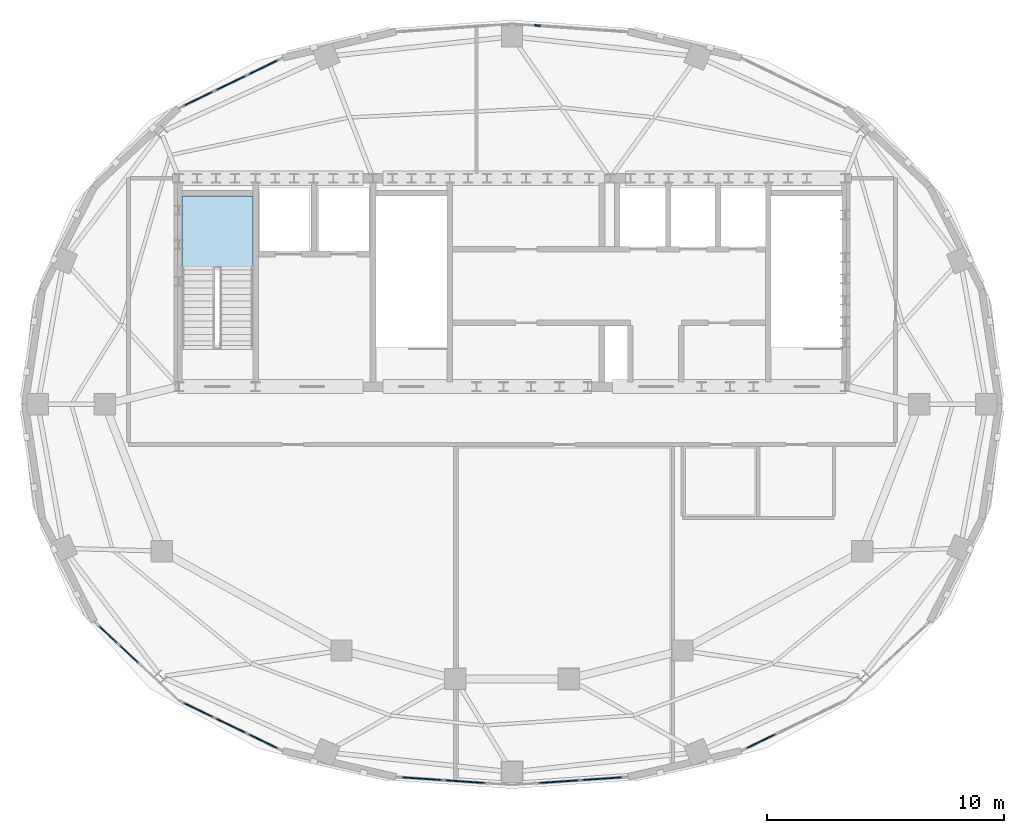
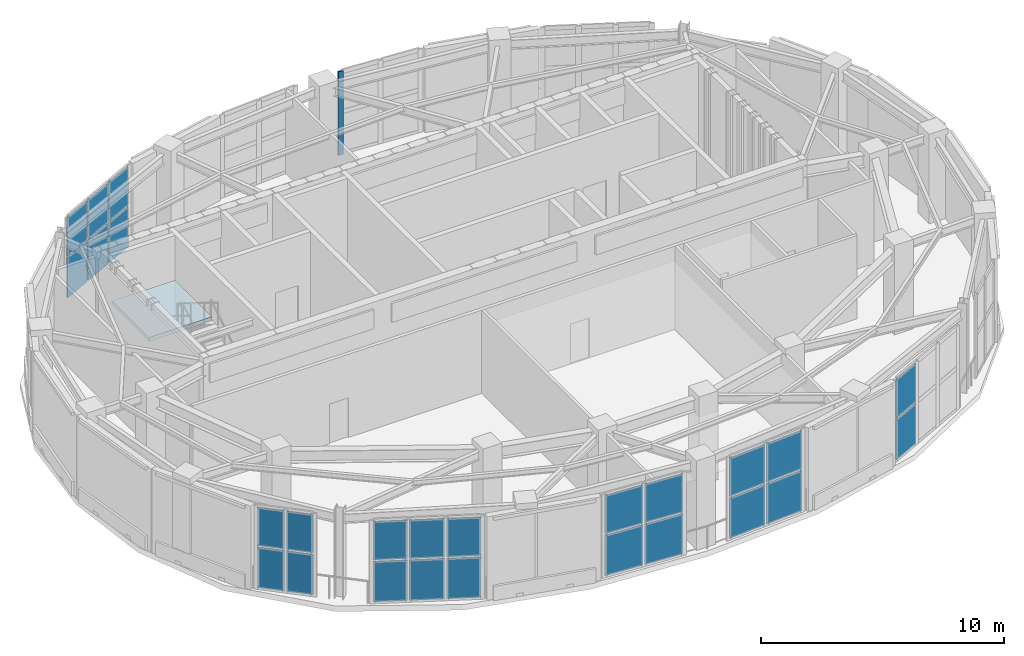
# One storey, part 5 of 10: 26 plates, 1 member, 1 slab, 8 elements without a shape of their own.
"""IFC4 building model written with IfcOpenShell, lengths in metres."""

from ifc_helpers import new_model, si_unit, direction, frame, origin, origin_2d, place, context, subcontext, project, spatial, polyline, rectangle, outline, extrude, material, layer, layer_set, material_profile, profile_set, type_object, element, aggregate, save


model = new_model("IFC4")

# Units and contexts
model_context = context("Model", 3, precision=1e-05, world=origin(), true_north=direction((0.0, 1.0)))
body_context = subcontext(model_context, "Body", "Model", "MODEL_VIEW")
ifc_project = project(units=[si_unit("LENGTHUNIT", "METRE"), si_unit("AREAUNIT", "SQUARE_METRE"), si_unit("VOLUMEUNIT", "CUBIC_METRE"), si_unit("PLANEANGLEUNIT", "RADIAN"), si_unit("MASSUNIT", "GRAM", prefix="KILO")], contexts=[model_context])

# Site, building, storey
site_placement = place(None, origin())
site = spatial("IfcSite", under=ifc_project, at=site_placement, CompositionType="ELEMENT")
building_placement = place(site_placement, origin())
building = spatial("IfcBuilding", under=site, at=building_placement, Name="Haldorwick Loom Tower", CompositionType="ELEMENT")
storey_placement = place(building_placement, frame((0.0, 0.0, 296.0)))
storey = spatial("IfcBuildingStorey", under=building, at=storey_placement, Name="L79", CompositionType="ELEMENT", Elevation=296.0)

# Curtain wall, member
ifc_material_1 = material(Name="Thermally Broken Anodized Aluminium Curtain Wall Framing", Category="aluminium")
curtain_wall_type = type_object("IfcCurtainWallType", Name="ARC-CW-06", PredefinedType="NOTDEFINED", material=ifc_material_1)
curtain_wall_1_placement = place(storey_placement, origin())
curtain_wall_1 = element("IfcCurtainWall", 1, at=curtain_wall_1_placement, inside=storey, type_object=curtain_wall_type, Name="L79 Facade Curtain Wall CW-06 Bay 6", PredefinedType="NOTDEFINED")
ifc_material_profile = material_profile(ifc_material_1, rectangle(XDim=0.077880859375, YDim=0.22998046875, at=origin_2d()), Name="ALU_MUL_78X230", Category="aluminium")
ifc_profile_set = profile_set([ifc_material_profile], Name="Thermally Broken Anodized Aluminium Curtain Wall Framing")
member_type = type_object("IfcMemberType", Name="ARC-CWM-06", PredefinedType="MULLION", material=ifc_profile_set)
member_placement = place(storey_placement, frame((37.073486328125, 42.001220703125, 0.0), z_axis=(0.0, 0.0, 1.0), x_axis=(-0.068469286639, -0.997653224716, 0.0)))
member = element("IfcMember", 2, at=member_placement, type_object=member_type, Name="CW-06 mullion 3", PredefinedType="MULLION", context=body_context, shape_type="SweptSolid", body=[
    extrude(rectangle(XDim=0.077880859375, YDim=0.22998046875, at=origin_2d()), origin(), (0.0, 0.0, 1.0), 4.199951171875),
])
aggregate(curtain_wall_1, [member])

# Curtain wall, plates
curtain_wall_2_placement = place(storey_placement, origin())
curtain_wall_2 = element("IfcCurtainWall", 3, at=curtain_wall_2_placement, inside=storey, type_object=curtain_wall_type, Name="L79 Facade Curtain Wall CW-06 Bay 9", PredefinedType="NOTDEFINED")
ifc_material_2 = material(Name="Triple-Glazed Low-E Argon Insulated Glazing Unit", Category="glass")
ifc_layer_1 = layer(ifc_material_2, 0.052001953125, Name="Triple-Glazed Low-E Argon Insulated Glazing Unit", Category="glass")
ifc_layer_set_1 = layer_set([ifc_layer_1], Name="Triple-Glazed Low-E Argon Insulated Glazing Unit")
plate_type = type_object("IfcPlateType", Name="ARC-CWP-06", PredefinedType="CURTAIN_PANEL", material=ifc_layer_set_1)
plate_1_placement = place(storey_placement, frame((25.48388671875, 40.2333984375, 0.078125), z_axis=(0.0, 0.0, 1.0), x_axis=(-0.900031962022, -0.435823894868, 0.0)))
plate_1 = element("IfcPlate", 4, at=plate_1_placement, type_object=plate_type, Name="CW-06 panel 1.1", PredefinedType="CURTAIN_PANEL", context=body_context, shape_type="SweptSolid", body=[
    extrude(rectangle(XDim=1.420166015625, YDim=0.052001953125, at=origin_2d()), origin(), (0.0, 0.0, 1.0), 2.032958984375),
])
plate_2_placement = place(storey_placement, frame((25.48388671875, 40.2333984375, 2.18896484375), z_axis=(0.0, 0.0, 1.0), x_axis=(-0.900031962022, -0.435823894868, 0.0)))
plate_2 = element("IfcPlate", 5, at=plate_2_placement, type_object=plate_type, Name="CW-06 panel 1.2", PredefinedType="CURTAIN_PANEL", context=body_context, shape_type="SweptSolid", body=[
    extrude(rectangle(XDim=1.420166015625, YDim=0.052001953125, at=origin_2d()), origin(), (0.0, 0.0, 1.0), 1.93310546875),
])
plate_3_placement = place(storey_placement, frame((24.117919921875, 39.572021484375, 0.078125), z_axis=(0.0, 0.0, 1.0), x_axis=(-0.900031962022, -0.435823894868, 0.0)))
plate_3 = element("IfcPlate", 6, at=plate_3_placement, type_object=plate_type, Name="CW-06 panel 2.1", PredefinedType="CURTAIN_PANEL", context=body_context, shape_type="SweptSolid", body=[
    extrude(rectangle(XDim=1.459228515625, YDim=0.052001953125, at=origin_2d()), origin(), (0.0, 0.0, 1.0), 2.032958984375),
])
plate_4_placement = place(storey_placement, frame((24.117919921875, 39.572021484375, 2.18896484375), z_axis=(0.0, 0.0, 1.0), x_axis=(-0.900031962022, -0.435823894868, 0.0)))
plate_4 = element("IfcPlate", 7, at=plate_4_placement, type_object=plate_type, Name="CW-06 panel 2.2", PredefinedType="CURTAIN_PANEL", context=body_context, shape_type="SweptSolid", body=[
    extrude(rectangle(XDim=1.459228515625, YDim=0.052001953125, at=origin_2d()), origin(), (0.0, 0.0, 1.0), 1.93310546875),
])
plate_5_placement = place(storey_placement, frame((22.751953125, 38.910400390625, 0.078125), z_axis=(0.0, 0.0, 1.0), x_axis=(-0.900031962022, -0.435823894868, 0.0)))
plate_5 = element("IfcPlate", 8, at=plate_5_placement, type_object=plate_type, Name="CW-06 panel 3.1", PredefinedType="CURTAIN_PANEL", context=body_context, shape_type="SweptSolid", body=[
    extrude(rectangle(XDim=1.420166015625, YDim=0.052001953125, at=origin_2d()), origin(), (0.0, 0.0, 1.0), 2.032958984375),
])
plate_6_placement = place(storey_placement, frame((22.751953125, 38.910400390625, 2.18896484375), z_axis=(0.0, 0.0, 1.0), x_axis=(-0.900031962022, -0.435823894868, 0.0)))
plate_6 = element("IfcPlate", 9, at=plate_6_placement, type_object=plate_type, Name="CW-06 panel 3.2", PredefinedType="CURTAIN_PANEL", context=body_context, shape_type="SweptSolid", body=[
    extrude(rectangle(XDim=1.420166015625, YDim=0.052001953125, at=origin_2d()), origin(), (0.0, 0.0, 1.0), 1.93310546875),
])
aggregate(curtain_wall_2, [plate_1, plate_2, plate_3, plate_4, plate_5, plate_6])

curtain_wall_3_placement = place(storey_placement, origin())
curtain_wall_3 = element("IfcCurtainWall", 10, at=curtain_wall_3_placement, inside=storey, type_object=curtain_wall_type, Name="L79 Facade Curtain Wall CW-06 Bay 15", PredefinedType="NOTDEFINED")
plate_7_placement = place(storey_placement, frame((18.9326171875, 16.280517578125, 0.078125), z_axis=(0.0, 0.0, 1.0), x_axis=(0.730886220753, -0.682499327702, 0.0)))
plate_7 = element("IfcPlate", 11, at=plate_7_placement, type_object=plate_type, Name="CW-06 panel 1.1", PredefinedType="CURTAIN_PANEL", context=body_context, shape_type="SweptSolid", body=[
    extrude(rectangle(XDim=1.13232421875, YDim=0.052001953125, at=origin_2d()), origin(), (0.0, 0.0, 1.0), 2.032958984375),
])
plate_8_placement = place(storey_placement, frame((18.9326171875, 16.280517578125, 2.18896484375), z_axis=(0.0, 0.0, 1.0), x_axis=(0.730886220753, -0.682499327702, 0.0)))
plate_8 = element("IfcPlate", 12, at=plate_8_placement, type_object=plate_type, Name="CW-06 panel 1.2", PredefinedType="CURTAIN_PANEL", context=body_context, shape_type="SweptSolid", body=[
    extrude(rectangle(XDim=1.13232421875, YDim=0.052001953125, at=origin_2d()), origin(), (0.0, 0.0, 1.0), 1.93310546875),
])
plate_9_placement = place(storey_placement, frame((19.8173828125, 15.454345703125, 0.078125), z_axis=(0.0, 0.0, 1.0), x_axis=(0.730886220753, -0.682499327702, 0.0)))
plate_9 = element("IfcPlate", 13, at=plate_9_placement, type_object=plate_type, Name="CW-06 panel 2.1", PredefinedType="CURTAIN_PANEL", context=body_context, shape_type="SweptSolid", body=[
    extrude(rectangle(XDim=1.13232421875, YDim=0.052001953125, at=origin_2d()), origin(), (0.0, 0.0, 1.0), 2.032958984375),
])
plate_10_placement = place(storey_placement, frame((19.8173828125, 15.454345703125, 2.18896484375), z_axis=(0.0, 0.0, 1.0), x_axis=(0.730886220753, -0.682499327702, 0.0)))
plate_10 = element("IfcPlate", 14, at=plate_10_placement, type_object=plate_type, Name="CW-06 panel 2.2", PredefinedType="CURTAIN_PANEL", context=body_context, shape_type="SweptSolid", body=[
    extrude(rectangle(XDim=1.13232421875, YDim=0.052001953125, at=origin_2d()), origin(), (0.0, 0.0, 1.0), 1.93310546875),
])
aggregate(curtain_wall_3, [plate_7, plate_8, plate_9, plate_10])

curtain_wall_4_placement = place(storey_placement, origin())
curtain_wall_4 = element("IfcCurtainWall", 15, at=curtain_wall_4_placement, inside=storey, type_object=curtain_wall_type, Name="L79 Facade Curtain Wall CW-06 Bay 16", PredefinedType="NOTDEFINED")
plate_11_placement = place(storey_placement, frame((22.751953125, 13.089599609375, 0.078125), z_axis=(0.0, 0.0, 1.0), x_axis=(0.900031962022, -0.435823894868, 0.0)))
plate_11 = element("IfcPlate", 16, at=plate_11_placement, type_object=plate_type, Name="CW-06 panel 1.1", PredefinedType="CURTAIN_PANEL", context=body_context, shape_type="SweptSolid", body=[
    extrude(rectangle(XDim=1.420166015625, YDim=0.052001953125, at=origin_2d()), origin(), (0.0, 0.0, 1.0), 2.032958984375),
])
plate_12_placement = place(storey_placement, frame((22.751953125, 13.089599609375, 2.18896484375), z_axis=(0.0, 0.0, 1.0), x_axis=(0.900031962022, -0.435823894868, 0.0)))
plate_12 = element("IfcPlate", 17, at=plate_12_placement, type_object=plate_type, Name="CW-06 panel 1.2", PredefinedType="CURTAIN_PANEL", context=body_context, shape_type="SweptSolid", body=[
    extrude(rectangle(XDim=1.420166015625, YDim=0.052001953125, at=origin_2d()), origin(), (0.0, 0.0, 1.0), 1.93310546875),
])
plate_13_placement = place(storey_placement, frame((24.117919921875, 12.427978515625, 0.078125), z_axis=(0.0, 0.0, 1.0), x_axis=(0.900031962022, -0.435823894868, 0.0)))
plate_13 = element("IfcPlate", 18, at=plate_13_placement, type_object=plate_type, Name="CW-06 panel 2.1", PredefinedType="CURTAIN_PANEL", context=body_context, shape_type="SweptSolid", body=[
    extrude(rectangle(XDim=1.459228515625, YDim=0.052001953125, at=origin_2d()), origin(), (0.0, 0.0, 1.0), 2.032958984375),
])
plate_14_placement = place(storey_placement, frame((24.117919921875, 12.427978515625, 2.18896484375), z_axis=(0.0, 0.0, 1.0), x_axis=(0.900031962022, -0.435823894868, 0.0)))
plate_14 = element("IfcPlate", 19, at=plate_14_placement, type_object=plate_type, Name="CW-06 panel 2.2", PredefinedType="CURTAIN_PANEL", context=body_context, shape_type="SweptSolid", body=[
    extrude(rectangle(XDim=1.459228515625, YDim=0.052001953125, at=origin_2d()), origin(), (0.0, 0.0, 1.0), 1.93310546875),
])
plate_15_placement = place(storey_placement, frame((25.48388671875, 11.7666015625, 0.078125), z_axis=(0.0, 0.0, 1.0), x_axis=(0.900031962022, -0.435823894868, 0.0)))
plate_15 = element("IfcPlate", 20, at=plate_15_placement, type_object=plate_type, Name="CW-06 panel 3.1", PredefinedType="CURTAIN_PANEL", context=body_context, shape_type="SweptSolid", body=[
    extrude(rectangle(XDim=1.420166015625, YDim=0.052001953125, at=origin_2d()), origin(), (0.0, 0.0, 1.0), 2.032958984375),
])
plate_16_placement = place(storey_placement, frame((25.48388671875, 11.7666015625, 2.18896484375), z_axis=(0.0, 0.0, 1.0), x_axis=(0.900031962022, -0.435823894868, 0.0)))
plate_16 = element("IfcPlate", 21, at=plate_16_placement, type_object=plate_type, Name="CW-06 panel 3.2", PredefinedType="CURTAIN_PANEL", context=body_context, shape_type="SweptSolid", body=[
    extrude(rectangle(XDim=1.420166015625, YDim=0.052001953125, at=origin_2d()), origin(), (0.0, 0.0, 1.0), 1.93310546875),
])
aggregate(curtain_wall_4, [plate_11, plate_12, plate_13, plate_14, plate_15, plate_16])

curtain_wall_5_placement = place(storey_placement, origin())
curtain_wall_5 = element("IfcCurtainWall", 22, at=curtain_wall_5_placement, inside=storey, type_object=curtain_wall_type, Name="L79 Facade Curtain Wall CW-06 Bay 18", PredefinedType="NOTDEFINED")
plate_17_placement = place(storey_placement, frame((32.191650390625, 10.1865234375, 0.078125), z_axis=(0.0, 0.0, 1.0), x_axis=(0.997653224716, -0.068469286639, 0.0)))
plate_17 = element("IfcPlate", 23, at=plate_17_placement, type_object=plate_type, Name="CW-06 panel 1.1", PredefinedType="CURTAIN_PANEL", context=body_context, shape_type="SweptSolid", body=[
    extrude(rectangle(XDim=1.74951171875, YDim=0.052001953125, at=origin_2d()), origin(), (0.0, 0.0, 1.0), 2.032958984375),
])
plate_18_placement = place(storey_placement, frame((32.191650390625, 10.1865234375, 2.18896484375), z_axis=(0.0, 0.0, 1.0), x_axis=(0.997653224716, -0.068469286639, 0.0)))
plate_18 = element("IfcPlate", 24, at=plate_18_placement, type_object=plate_type, Name="CW-06 panel 1.2", PredefinedType="CURTAIN_PANEL", context=body_context, shape_type="SweptSolid", body=[
    extrude(rectangle(XDim=1.74951171875, YDim=0.052001953125, at=origin_2d()), origin(), (0.0, 0.0, 1.0), 1.93310546875),
])
plate_19_placement = place(storey_placement, frame((34.014892578125, 10.0615234375, 0.078125), z_axis=(0.0, 0.0, 1.0), x_axis=(0.997653224716, -0.068469286639, 0.0)))
plate_19 = element("IfcPlate", 25, at=plate_19_placement, type_object=plate_type, Name="CW-06 panel 2.1", PredefinedType="CURTAIN_PANEL", context=body_context, shape_type="SweptSolid", body=[
    extrude(rectangle(XDim=1.74951171875, YDim=0.052001953125, at=origin_2d()), origin(), (0.0, 0.0, 1.0), 2.032958984375),
])
plate_20_placement = place(storey_placement, frame((34.014892578125, 10.0615234375, 2.18896484375), z_axis=(0.0, 0.0, 1.0), x_axis=(0.997653224716, -0.068469286639, 0.0)))
plate_20 = element("IfcPlate", 26, at=plate_20_placement, type_object=plate_type, Name="CW-06 panel 2.2", PredefinedType="CURTAIN_PANEL", context=body_context, shape_type="SweptSolid", body=[
    extrude(rectangle(XDim=1.74951171875, YDim=0.052001953125, at=origin_2d()), origin(), (0.0, 0.0, 1.0), 1.93310546875),
])
aggregate(curtain_wall_5, [plate_17, plate_18, plate_19, plate_20])

curtain_wall_6_placement = place(storey_placement, origin())
curtain_wall_6 = element("IfcCurtainWall", 27, at=curtain_wall_6_placement, inside=storey, type_object=curtain_wall_type, Name="L79 Facade Curtain Wall CW-06 Bay 19", PredefinedType="NOTDEFINED")
plate_21_placement = place(storey_placement, frame((37.985107421875, 10.0615234375, 0.078125), z_axis=(0.0, 0.0, 1.0), x_axis=(0.997653224716, 0.068469286639, 0.0)))
plate_21 = element("IfcPlate", 28, at=plate_21_placement, type_object=plate_type, Name="CW-06 panel 1.1", PredefinedType="CURTAIN_PANEL", context=body_context, shape_type="SweptSolid", body=[
    extrude(rectangle(XDim=1.74951171875, YDim=0.052001953125, at=origin_2d()), origin(), (0.0, 0.0, 1.0), 2.032958984375),
])
plate_22_placement = place(storey_placement, frame((37.985107421875, 10.0615234375, 2.18896484375), z_axis=(0.0, 0.0, 1.0), x_axis=(0.997653224716, 0.068469286639, 0.0)))
plate_22 = element("IfcPlate", 29, at=plate_22_placement, type_object=plate_type, Name="CW-06 panel 1.2", PredefinedType="CURTAIN_PANEL", context=body_context, shape_type="SweptSolid", body=[
    extrude(rectangle(XDim=1.74951171875, YDim=0.052001953125, at=origin_2d()), origin(), (0.0, 0.0, 1.0), 1.93310546875),
])
plate_23_placement = place(storey_placement, frame((39.808349609375, 10.1865234375, 0.078125), z_axis=(0.0, 0.0, 1.0), x_axis=(0.997653224716, 0.068469286639, 0.0)))
plate_23 = element("IfcPlate", 30, at=plate_23_placement, type_object=plate_type, Name="CW-06 panel 2.1", PredefinedType="CURTAIN_PANEL", context=body_context, shape_type="SweptSolid", body=[
    extrude(rectangle(XDim=1.74951171875, YDim=0.052001953125, at=origin_2d()), origin(), (0.0, 0.0, 1.0), 2.032958984375),
])
plate_24_placement = place(storey_placement, frame((39.808349609375, 10.1865234375, 2.18896484375), z_axis=(0.0, 0.0, 1.0), x_axis=(0.997653224716, 0.068469286639, 0.0)))
plate_24 = element("IfcPlate", 31, at=plate_24_placement, type_object=plate_type, Name="CW-06 panel 2.2", PredefinedType="CURTAIN_PANEL", context=body_context, shape_type="SweptSolid", body=[
    extrude(rectangle(XDim=1.74951171875, YDim=0.052001953125, at=origin_2d()), origin(), (0.0, 0.0, 1.0), 1.93310546875),
])
aggregate(curtain_wall_6, [plate_21, plate_22, plate_23, plate_24])

curtain_wall_7_placement = place(storey_placement, origin())
curtain_wall_7 = element("IfcCurtainWall", 32, at=curtain_wall_7_placement, inside=storey, type_object=curtain_wall_type, Name="L79 Facade Curtain Wall CW-06 Bay 21", PredefinedType="NOTDEFINED")
plate_25_placement = place(storey_placement, frame((46.51611328125, 11.7666015625, 0.078125), z_axis=(0.0, 0.0, 1.0), x_axis=(0.900031962022, 0.435823894868, 0.0)))
plate_25 = element("IfcPlate", 33, at=plate_25_placement, type_object=plate_type, Name="CW-06 panel 1.1", PredefinedType="CURTAIN_PANEL", context=body_context, shape_type="SweptSolid", body=[
    extrude(rectangle(XDim=1.420166015625, YDim=0.052001953125, at=origin_2d()), origin(), (0.0, 0.0, 1.0), 2.032958984375),
])
plate_26_placement = place(storey_placement, frame((46.51611328125, 11.7666015625, 2.18896484375), z_axis=(0.0, 0.0, 1.0), x_axis=(0.900031962022, 0.435823894868, 0.0)))
plate_26 = element("IfcPlate", 34, at=plate_26_placement, type_object=plate_type, Name="CW-06 panel 1.2", PredefinedType="CURTAIN_PANEL", context=body_context, shape_type="SweptSolid", body=[
    extrude(rectangle(XDim=1.420166015625, YDim=0.052001953125, at=origin_2d()), origin(), (0.0, 0.0, 1.0), 1.93310546875),
])
aggregate(curtain_wall_7, [plate_25, plate_26])

# Stair, slab
ifc_material_3 = material(Name="Concrete C40 (40 MPa)", Category="concrete")
stair_type = type_object("IfcStairType", Name="STR-STR-CORE", PredefinedType="HALF_TURN_STAIR", material=ifc_material_3)
stair_placement = place(storey_placement, origin())
stair = element("IfcStair", 35, at=stair_placement, inside=storey, type_object=stair_type, Name="L79 Exit Stair ST-01", PredefinedType="HALF_TURN_STAIR")
ifc_layer_2 = layer(ifc_material_3, 0.199951171875, Name="Concrete C40 (40 MPa)", Category="concrete")
ifc_layer_set_2 = layer_set([ifc_layer_2], Name="Concrete C40 (40 MPa)")
slab_type = type_object("IfcSlabType", Name="STR-SLB-LAND200", PredefinedType="LANDING", material=ifc_layer_set_2)
slab_placement = place(storey_placement, frame((0.0, 0.0, 2.050048828125)))
slab = element("IfcSlab", 36, at=slab_placement, type_object=slab_type, Name="ST-01 landing 1", PredefinedType="LANDING", context=body_context, shape_type="SweptSolid", body=[
    extrude(outline(polyline([(25.050048828125, 31.760009765625), (25.050048828125, 34.800048828125), (22.050048828125, 34.800048828125), (22.050048828125, 31.760009765625), (25.050048828125, 31.760009765625)])), origin(), (0.0, 0.0, 1.0), 0.199951171875),
])
aggregate(stair, [slab])

save(model, "model.ifc")
